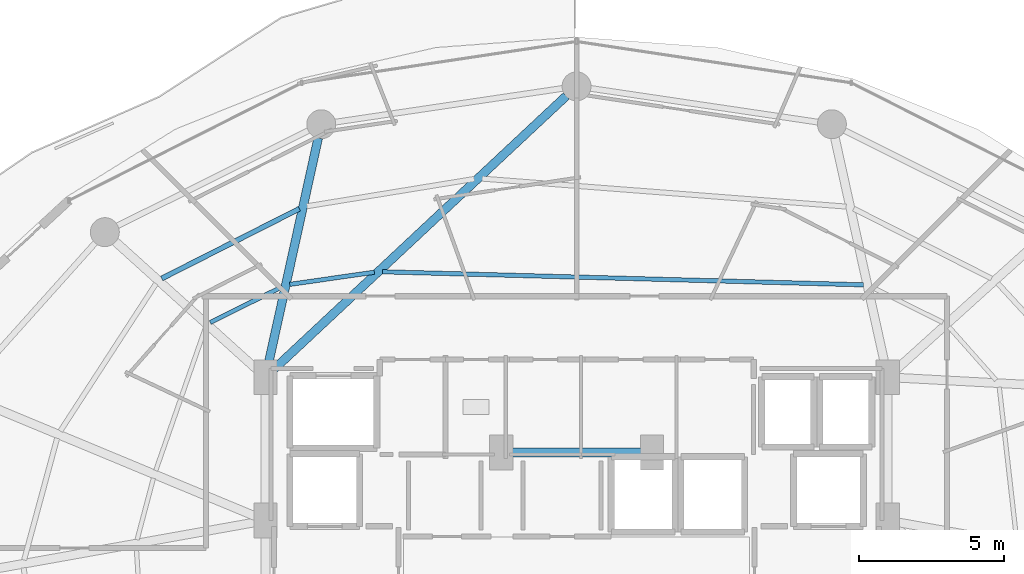
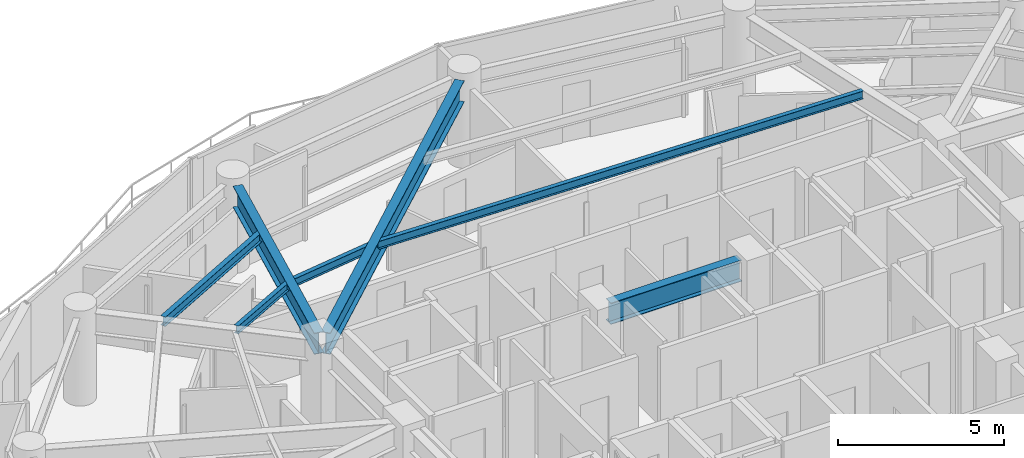
# One storey, part 10 of 31: 7 beams.
"""IFC4 building model written with IfcOpenShell, lengths in metres."""

from ifc_helpers import new_model, si_unit, direction, frame, origin, origin_2d, place, context, subcontext, project, spatial, i_section, extrude, material, material_profile, profile_set, type_object, element, save


model = new_model("IFC4")

# Units and contexts
model_context = context("Model", 3, precision=1e-05, world=origin(), true_north=direction((0.0, 1.0)))
body_context = subcontext(model_context, "Body", "Model", "MODEL_VIEW")
ifc_project = project(units=[si_unit("LENGTHUNIT", "METRE"), si_unit("AREAUNIT", "SQUARE_METRE"), si_unit("VOLUMEUNIT", "CUBIC_METRE"), si_unit("PLANEANGLEUNIT", "RADIAN"), si_unit("MASSUNIT", "GRAM", prefix="KILO")], contexts=[model_context])

# Site, building, storey
site_placement = place(None, origin())
site = spatial("IfcSite", under=ifc_project, at=site_placement, CompositionType="ELEMENT")
building_placement = place(site_placement, origin())
building = spatial("IfcBuilding", under=site, at=building_placement, Name="Vorneva Point Tower", CompositionType="ELEMENT")
storey_placement = place(building_placement, frame((0.0, 0.0, 132.60009765625)))
storey = spatial("IfcBuildingStorey", under=building, at=storey_placement, Name="L35", CompositionType="ELEMENT", Elevation=132.60009765625)

# Beams
ifc_material = material(Name="Steel S355", Category="steel")
ifc_material_profile_1 = material_profile(ifc_material, i_section(OverallWidth=0.300048828125, OverallDepth=0.7880859375, WebThickness=0.014404296875, FlangeThickness=0.02197265625, at=origin_2d()), Name="80Sh1")
ifc_profile_set_1 = profile_set([ifc_material_profile_1], Name="Steel S355")
beam_type_1 = type_object("IfcBeamType", Name="BM-GRD-80Sh1", PredefinedType="USERDEFINED", material=ifc_profile_set_1)
beam_1_placement = place(storey_placement, frame((37.6435546875, 42.86669921875, 2.845947265625), z_axis=(-0.730490907119, -0.682922422107, 0.0), x_axis=(0.682922422107, -0.730490907119, 0.0)))
element("IfcBeam", 1, at=beam_1_placement, inside=storey, type_object=beam_type_1, Name="L35 Radial Primary Girder 05", ObjectType="GIRDER", PredefinedType="USERDEFINED", context=body_context, shape_type="SweptSolid", body=[
    extrude(i_section(OverallWidth=0.300048828125, OverallDepth=0.7880859375, WebThickness=0.014404296875, FlangeThickness=0.02197265625, at=origin_2d()), origin(), (0.0, 0.0, 1.0), 13.88818359375),
])
beam_2_placement = place(storey_placement, frame((29.073974609375, 41.414306640625, 2.845947265625), z_axis=(-0.215520500859, -0.976499315775, 0.0), x_axis=(0.976499315775, -0.215520500859, 0.0)))
element("IfcBeam", 2, at=beam_2_placement, inside=storey, type_object=beam_type_1, Name="L35 Radial Primary Girder 06", ObjectType="GIRDER", PredefinedType="USERDEFINED", context=body_context, shape_type="SweptSolid", body=[
    extrude(i_section(OverallWidth=0.300048828125, OverallDepth=0.7880859375, WebThickness=0.014404296875, FlangeThickness=0.02197265625, at=origin_2d()), origin(), (0.0, 0.0, 1.0), 8.123291015625),
])
beam_3_placement = place(storey_placement, frame((35.719970703125, 30.550048828125, 2.845947265625), z_axis=(1.0, 0.0, 0.0), x_axis=(0.0, 1.0, 0.0)))
element("IfcBeam", 3, at=beam_3_placement, inside=storey, type_object=beam_type_1, Name="L35 Core Tie Girder CT8", ObjectType="GIRDER", PredefinedType="USERDEFINED", context=body_context, shape_type="SweptSolid", body=[
    extrude(i_section(OverallWidth=0.300048828125, OverallDepth=0.7880859375, WebThickness=0.014404296875, FlangeThickness=0.02197265625, at=origin_2d()), origin(), (0.0, 0.0, 1.0), 4.56005859375),
])
ifc_material_profile_2 = material_profile(ifc_material, i_section(OverallWidth=0.14892578125, OverallDepth=0.298095703125, WebThickness=0.005615234375, FlangeThickness=0.008056640625, at=origin_2d()), Name="30B1")
ifc_profile_set_2 = profile_set([ifc_material_profile_2], Name="Steel S355")
beam_type_2 = type_object("IfcBeamType", Name="BM-JST-30B1", PredefinedType="JOIST", material=ifc_profile_set_2)
beam_4_placement = place(storey_placement, frame((47.908447265625, 36.34130859375, 3.0908203125), z_axis=(-0.999630939396, 0.027165879367, 0.0), x_axis=(-0.027165879367, -0.999630939396, 0.0)))
element("IfcBeam", 4, at=beam_4_placement, inside=storey, type_object=beam_type_2, Name="L35 Secondary Floor Beam 2.04", PredefinedType="JOIST", context=body_context, shape_type="SweptSolid", body=[
    extrude(i_section(OverallWidth=0.14892578125, OverallDepth=0.298095703125, WebThickness=0.005615234375, FlangeThickness=0.008056640625, at=origin_2d()), origin(), (0.0, 0.0, 1.0), 16.6259765625),
])
beam_5_placement = place(storey_placement, frame((31.013916015625, 36.777099609375, 3.0908203125), z_axis=(-0.989843421771, -0.142161880882, 0.0), x_axis=(0.142161880882, -0.989843421771, 0.0)))
element("IfcBeam", 5, at=beam_5_placement, inside=storey, type_object=beam_type_2, Name="L35 Secondary Floor Beam 2.05", PredefinedType="JOIST", context=body_context, shape_type="SweptSolid", body=[
    extrude(i_section(OverallWidth=0.14892578125, OverallDepth=0.298095703125, WebThickness=0.005615234375, FlangeThickness=0.008056640625, at=origin_2d()), origin(), (0.0, 0.0, 1.0), 2.953857421875),
])
beam_6_placement = place(storey_placement, frame((27.829833984375, 36.2763671875, 3.0908203125), z_axis=(-0.895831018968, -0.444394853092, 0.0), x_axis=(0.444394853092, -0.895831018968, 0.0)))
element("IfcBeam", 6, at=beam_6_placement, inside=storey, type_object=beam_type_2, Name="L35 Secondary Floor Beam 2.06", PredefinedType="JOIST", context=body_context, shape_type="SweptSolid", body=[
    extrude(i_section(OverallWidth=0.14892578125, OverallDepth=0.298095703125, WebThickness=0.005615234375, FlangeThickness=0.008056640625, at=origin_2d()), origin(), (0.0, 0.0, 1.0), 2.77392578125),
])
ifc_material_profile_3 = material_profile(ifc_material, i_section(OverallWidth=0.174072265625, OverallDepth=0.345947265625, WebThickness=0.006103515625, FlangeThickness=0.009033203125, at=origin_2d()), Name="35B1")
ifc_profile_set_3 = profile_set([ifc_material_profile_3], Name="Steel S355")
beam_type_3 = type_object("IfcBeamType", Name="BM-SEC-35B1", PredefinedType="BEAM", material=ifc_profile_set_3)
beam_7_placement = place(storey_placement, frame((28.425537109375, 38.97216796875, 3.06689453125), z_axis=(-0.891979436535, -0.452075972375, 0.0), x_axis=(0.452075972375, -0.891979436535, 0.0)))
element("IfcBeam", 7, at=beam_7_placement, inside=storey, type_object=beam_type_3, Name="L35 Secondary Floor Beam 1.06", PredefinedType="BEAM", context=body_context, shape_type="SweptSolid", body=[
    extrude(i_section(OverallWidth=0.174072265625, OverallDepth=0.345947265625, WebThickness=0.006103515625, FlangeThickness=0.009033203125, at=origin_2d()), origin(), (0.0, 0.0, 1.0), 5.335205078125),
])

save(model, "model.ifc")
